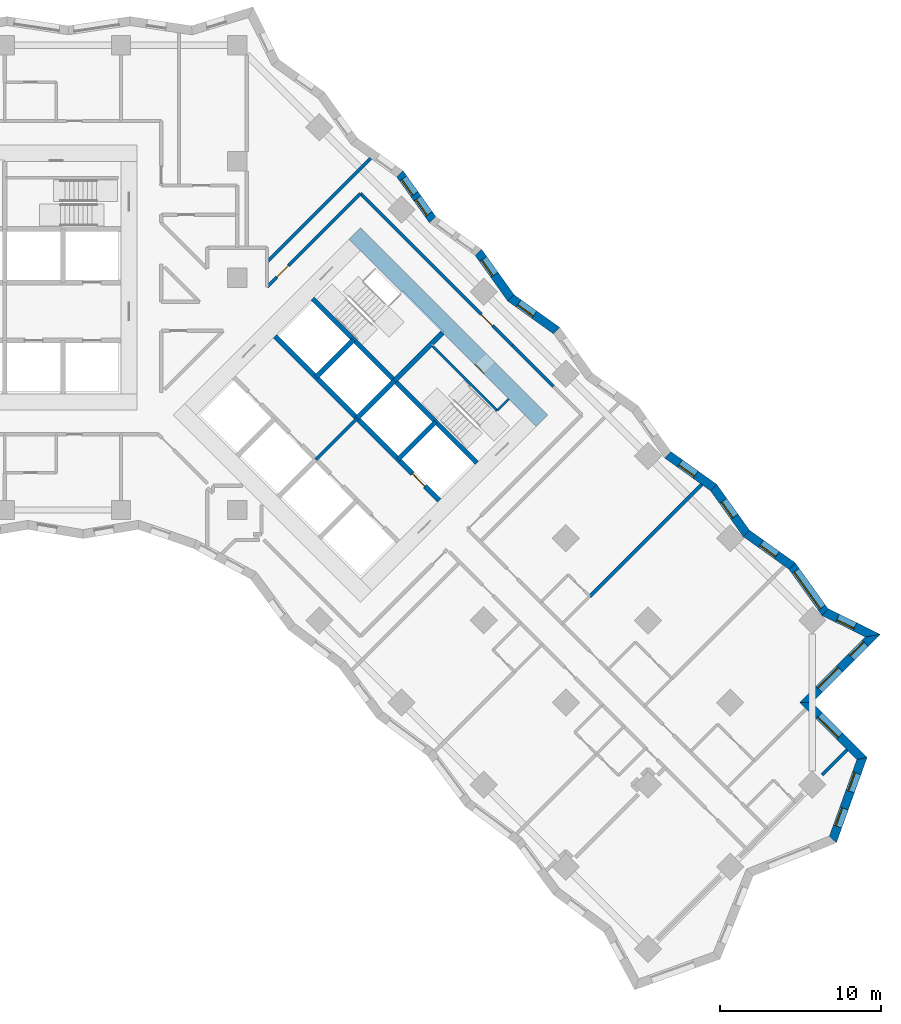
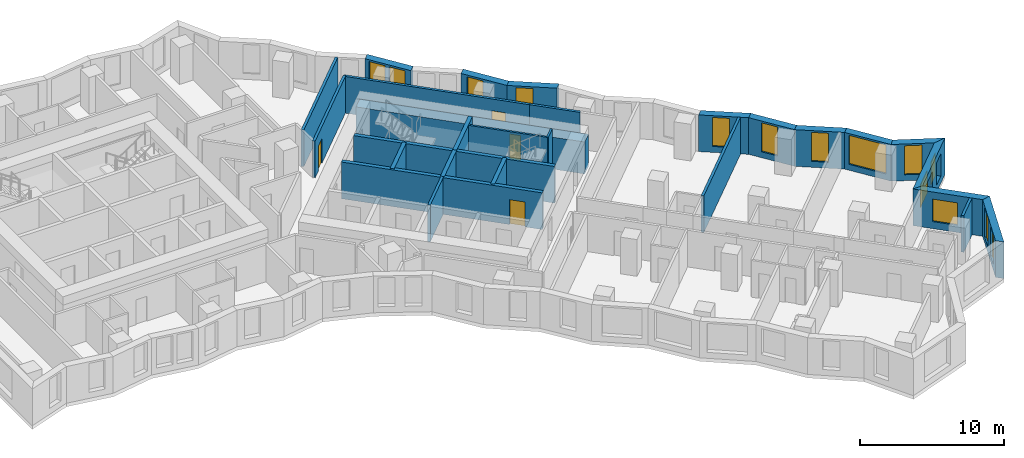
# One storey, part 9 of 12: 28 walls, 14 windows, 4 doors, 18 openings.
"""IFC4 building model written with IfcOpenShell, lengths in metres."""

from ifc_helpers import new_model, si_unit, direction, frame, frame_2d, origin, place, context, subcontext, project, spatial, polyline, rectangle, outline, extrude, material, layer, layer_set, type_object, element, fill, save


model = new_model("IFC4")

# Units and contexts
model_context = context("Model", 3, precision=1e-05, world=origin(), true_north=direction((0.0, 1.0)))
body_context = subcontext(model_context, "Body", "Model", "MODEL_VIEW")
ifc_project = project(units=[si_unit("LENGTHUNIT", "METRE"), si_unit("AREAUNIT", "SQUARE_METRE"), si_unit("VOLUMEUNIT", "CUBIC_METRE"), si_unit("PLANEANGLEUNIT", "RADIAN"), si_unit("MASSUNIT", "GRAM", prefix="KILO")], contexts=[model_context])

# Site, building, storey
site_placement = place(None, origin())
site = spatial("IfcSite", under=ifc_project, at=site_placement, CompositionType="ELEMENT")
building_placement = place(site_placement, origin())
building = spatial("IfcBuilding", under=site, at=building_placement, Name="Windrow Commons", CompositionType="ELEMENT")
storey_placement = place(building_placement, frame((0.0, 0.0, 57.6)))
storey = spatial("IfcBuildingStorey", under=building, at=storey_placement, Name="L15", CompositionType="ELEMENT", Elevation=57.6)

# Wall, openings, windows
ifc_material_1 = material(Name="Brick masonry, red clay brick", Category="masonry")
ifc_layer_1 = layer(ifc_material_1, 0.55)
ifc_layer_set_1 = layer_set([ifc_layer_1], Name="Brick facade wall 550")
wall_type_1 = type_object("IfcWallType", Name="Brick facade wall 550", PredefinedType="SOLIDWALL", material=ifc_layer_set_1)
wall_1_placement = place(storey_placement, frame((116.1112, 22.788, 0.0), z_axis=(0.0, 0.0, 1.0), x_axis=(0.3382272757, 0.9410644558, 0.0)))
wall_1 = element("IfcWall", 1, at=wall_1_placement, inside=storey, type_object=wall_type_1, Name="Brick facade wall L15 4", PredefinedType="SOLIDWALL", context=body_context, shape_type="SweptSolid", body=[
    extrude(outline(polyline([(-0.1242, -0.275), (5.506, -0.275), (5.1572, 0.275), (0.1242, 0.275), (-0.1242, -0.275)])), origin(), (0.0, 0.0, 1.0), 3.1),
])
opening_1_placement = place(wall_1_placement, frame((0.8436, 0.0, 0.5)))
opening_1 = element("IfcOpeningElement", 2, at=opening_1_placement, cuts=wall_1, Name="Opening W7D", PredefinedType="OPENING", context=body_context, shape_type="SweptSolid", body=[
    extrude(rectangle(XDim=1.2, YDim=2.45, at=frame_2d((0.6, 1.225))), frame((0.0, 0.285, 0.0), z_axis=(0.0, -1.0, 0.0), x_axis=(1.0, 0.0, 0.0)), (0.0, 0.0, 1.0), 0.57),
])
opening_2_placement = place(wall_1_placement, frame((3.1601, 0.0, 0.5)))
opening_2 = element("IfcOpeningElement", 3, at=opening_2_placement, cuts=wall_1, Name="Opening W7D", PredefinedType="OPENING", context=body_context, shape_type="SweptSolid", body=[
    extrude(rectangle(XDim=1.2, YDim=2.45, at=frame_2d((0.6, 1.225))), frame((0.0, 0.285, 0.0), z_axis=(0.0, -1.0, 0.0), x_axis=(1.0, 0.0, 0.0)), (0.0, 0.0, 1.0), 0.57),
])
ifc_material_2 = material(Name="Clear float glass in anodised aluminium frame", Category="aluminium")
window_type_1 = type_object("IfcWindowType", Name="Window W7 notch 1200x2450", PartitioningType="SINGLE_PANEL", PredefinedType="WINDOW", material=ifc_material_2)
window_1_placement = place(opening_1_placement, origin())
window_1 = element("IfcWindow", 4, at=window_1_placement, inside=storey, type_object=window_type_1, Name="Window L15 4.1", OverallHeight=2.45, OverallWidth=1.2, PartitioningType="SINGLE_PANEL", PredefinedType="WINDOW", context=body_context, shape_type="SweptSolid", body=[
    extrude(rectangle(XDim=1.2, YDim=2.45, at=frame_2d((0.6, 1.225))), frame((0.0, 0.155, 0.0), z_axis=(0.0, -1.0, 0.0), x_axis=(1.0, 0.0, 0.0)), (0.0, 0.0, 1.0), 0.06),
])
fill(opening_1, window_1)
window_2_placement = place(opening_2_placement, origin())
window_2 = element("IfcWindow", 5, at=window_2_placement, inside=storey, type_object=window_type_1, Name="Window L15 4.2", OverallHeight=2.45, OverallWidth=1.2, PartitioningType="SINGLE_PANEL", PredefinedType="WINDOW", context=body_context, shape_type="SweptSolid", body=[
    extrude(rectangle(XDim=1.2, YDim=2.45, at=frame_2d((0.6, 1.225))), frame((0.0, 0.155, 0.0), z_axis=(0.0, -1.0, 0.0), x_axis=(1.0, 0.0, 0.0)), (0.0, 0.0, 1.0), 0.06),
])
fill(opening_2, window_2)

# Wall, opening, window
wall_2_placement = place(storey_placement, frame((117.9145, 27.8054, 0.0), z_axis=(0.0, 0.0, 1.0), x_axis=(-0.7071067812, 0.7071067812, 0.0)))
wall_2 = element("IfcWall", 6, at=wall_2_placement, inside=storey, type_object=wall_type_1, Name="Brick facade wall L15 5", PredefinedType="SOLIDWALL", context=body_context, shape_type="SweptSolid", body=[
    extrude(outline(polyline([(-0.1744, -0.275), (4.6256, -0.275), (5.1756, 0.275), (0.1744, 0.275), (-0.1744, -0.275)])), origin(), (0.0, 0.0, 1.0), 3.1),
])
opening_3_placement = place(wall_2_placement, frame((1.9631, 0.0, 0.6)))
opening_3 = element("IfcOpeningElement", 7, at=opening_3_placement, cuts=wall_2, Name="Opening W1L", PredefinedType="OPENING", context=body_context, shape_type="SweptSolid", body=[
    extrude(rectangle(XDim=1.8, YDim=1.9, at=frame_2d((0.9, 0.95))), frame((0.0, 0.285, 0.0), z_axis=(0.0, -1.0, 0.0), x_axis=(1.0, 0.0, 0.0)), (0.0, 0.0, 1.0), 0.57),
])
ifc_material_3 = material(Name="Clear float glass in anodised aluminium frame", Category="aluminium")
window_type_2 = type_object("IfcWindowType", Name="Window W1L bedroom 1800x1900", PartitioningType="SINGLE_PANEL", PredefinedType="WINDOW", material=ifc_material_3)
window_3_placement = place(opening_3_placement, origin())
window_3 = element("IfcWindow", 8, at=window_3_placement, inside=storey, type_object=window_type_2, Name="Window L15 5.1", OverallHeight=1.9, OverallWidth=1.8, PartitioningType="SINGLE_PANEL", PredefinedType="WINDOW", context=body_context, shape_type="SweptSolid", body=[
    extrude(rectangle(XDim=1.8, YDim=1.9, at=frame_2d((0.9, 0.95))), frame((0.0, 0.155, 0.0), z_axis=(0.0, -1.0, 0.0), x_axis=(1.0, 0.0, 0.0)), (0.0, 0.0, 1.0), 0.06),
])
fill(opening_3, window_3)

# Wall, openings, windows
wall_3_placement = place(storey_placement, frame((114.4493, 31.2706, 0.0), z_axis=(0.0, 0.0, 1.0), x_axis=(0.7070982526, 0.7071153096, 0.0)))
wall_3 = element("IfcWall", 9, at=wall_3_placement, inside=storey, type_object=wall_type_1, Name="Brick facade wall L15 6", PredefinedType="SOLIDWALL", context=body_context, shape_type="SweptSolid", body=[
    extrude(outline(polyline([(0.275, -0.275), (6.247, -0.275), (5.4784, 0.275), (-0.275, 0.275), (0.275, -0.275)])), origin(), (0.0, 0.0, 1.0), 3.1),
])
opening_4_placement = place(wall_3_placement, frame((1.1375, 0.0, 0.6)))
opening_4 = element("IfcOpeningElement", 10, at=opening_4_placement, cuts=wall_3, Name="Opening W1L", PredefinedType="OPENING", context=body_context, shape_type="SweptSolid", body=[
    extrude(rectangle(XDim=1.8, YDim=1.9, at=frame_2d((0.9, 0.95))), frame((0.0, 0.285, 0.0), z_axis=(0.0, -1.0, 0.0), x_axis=(1.0, 0.0, 0.0)), (0.0, 0.0, 1.0), 0.57),
])
opening_5_placement = place(wall_3_placement, frame((3.9767, 0.0, 0.6)))
opening_5 = element("IfcOpeningElement", 11, at=opening_5_placement, cuts=wall_3, Name="Opening W7G", PredefinedType="OPENING", context=body_context, shape_type="SweptSolid", body=[
    extrude(rectangle(XDim=1.2, YDim=1.9, at=frame_2d((0.6, 0.95))), frame((0.0, 0.285, 0.0), z_axis=(0.0, -1.0, 0.0), x_axis=(1.0, 0.0, 0.0)), (0.0, 0.0, 1.0), 0.57),
])
window_4_placement = place(opening_4_placement, origin())
window_4 = element("IfcWindow", 12, at=window_4_placement, inside=storey, type_object=window_type_2, Name="Window L15 6.1", OverallHeight=1.9, OverallWidth=1.8, PartitioningType="SINGLE_PANEL", PredefinedType="WINDOW", context=body_context, shape_type="SweptSolid", body=[
    extrude(rectangle(XDim=1.8, YDim=1.9, at=frame_2d((0.9, 0.95))), frame((0.0, 0.155, 0.0), z_axis=(0.0, -1.0, 0.0), x_axis=(1.0, 0.0, 0.0)), (0.0, 0.0, 1.0), 0.06),
])
fill(opening_4, window_4)
ifc_material_4 = material(Name="Clear float glass in anodised aluminium frame", Category="aluminium")
window_type_3 = type_object("IfcWindowType", Name="Window W7 notch 1200x1900", PartitioningType="SINGLE_PANEL", PredefinedType="WINDOW", material=ifc_material_4)
window_5_placement = place(opening_5_placement, origin())
window_5 = element("IfcWindow", 13, at=window_5_placement, inside=storey, type_object=window_type_3, Name="Window L15 6.2", OverallHeight=1.9, OverallWidth=1.2, PartitioningType="SINGLE_PANEL", PredefinedType="WINDOW", context=body_context, shape_type="SweptSolid", body=[
    extrude(rectangle(XDim=1.2, YDim=1.9, at=frame_2d((0.6, 0.95))), frame((0.0, 0.155, 0.0), z_axis=(0.0, -1.0, 0.0), x_axis=(1.0, 0.0, 0.0)), (0.0, 0.0, 1.0), 0.06),
])
fill(opening_5, window_5)

# Wall, opening, window
wall_4_placement = place(storey_placement, frame((118.5948, 35.4162, 0.0), z_axis=(0.0, 0.0, 1.0), x_axis=(-0.8975000889, 0.4410142747, 0.0)))
wall_4 = element("IfcWall", 14, at=wall_4_placement, inside=storey, type_object=wall_type_1, Name="Brick facade wall L15 7", PredefinedType="SOLIDWALL", context=body_context, shape_type="SweptSolid", body=[
    extrude(outline(polyline([(-0.3843, -0.275), (3.2464, -0.275), (3.385, 0.275), (0.3843, 0.275), (-0.3843, -0.275)])), origin(), (0.0, 0.0, 1.0), 3.1),
])
opening_6_placement = place(wall_4_placement, frame((1.25, 0.0, 0.5)))
opening_6 = element("IfcOpeningElement", 15, at=opening_6_placement, cuts=wall_4, Name="Opening W7D", PredefinedType="OPENING", context=body_context, shape_type="SweptSolid", body=[
    extrude(rectangle(XDim=1.2, YDim=2.45, at=frame_2d((0.6, 1.225))), frame((0.0, 0.285, 0.0), z_axis=(0.0, -1.0, 0.0), x_axis=(1.0, 0.0, 0.0)), (0.0, 0.0, 1.0), 0.57),
])
window_6_placement = place(opening_6_placement, origin())
window_6 = element("IfcWindow", 16, at=window_6_placement, inside=storey, type_object=window_type_1, Name="Window L15 7.1", OverallHeight=2.45, OverallWidth=1.2, PartitioningType="SINGLE_PANEL", PredefinedType="WINDOW", context=body_context, shape_type="SweptSolid", body=[
    extrude(rectangle(XDim=1.2, YDim=2.45, at=frame_2d((0.6, 1.225))), frame((0.0, 0.155, 0.0), z_axis=(0.0, -1.0, 0.0), x_axis=(1.0, 0.0, 0.0)), (0.0, 0.0, 1.0), 0.06),
])
fill(opening_6, window_6)

wall_5_placement = place(storey_placement, frame((115.6189, 36.8785, 0.0), z_axis=(0.0, 0.0, 1.0), x_axis=(-0.5814054054, 0.8136140083, 0.0)))
wall_5 = element("IfcWall", 17, at=wall_5_placement, inside=storey, type_object=wall_type_1, Name="Brick facade wall L15 8", PredefinedType="SOLIDWALL", context=body_context, shape_type="SweptSolid", body=[
    extrude(outline(polyline([(0.0693, -0.275), (3.553, -0.275), (3.4614, 0.275), (-0.0693, 0.275), (0.0693, -0.275)])), origin(), (0.0, 0.0, 1.0), 3.1),
])
opening_7_placement = place(wall_5_placement, frame((0.3307, 0.0, 0.5)))
opening_7 = element("IfcOpeningElement", 18, at=opening_7_placement, cuts=wall_5, Name="Opening W1T", PredefinedType="OPENING", context=body_context, shape_type="SweptSolid", body=[
    extrude(rectangle(XDim=2.8, YDim=2.45, at=frame_2d((1.4, 1.225))), frame((0.0, 0.285, 0.0), z_axis=(0.0, -1.0, 0.0), x_axis=(1.0, 0.0, 0.0)), (0.0, 0.0, 1.0), 0.57),
])
ifc_material_5 = material(Name="Clear float glass in anodised aluminium frame", Category="aluminium")
window_type_4 = type_object("IfcWindowType", Name="Window W1T bedroom 2800x2450", PartitioningType="SINGLE_PANEL", PredefinedType="WINDOW", material=ifc_material_5)
window_7_placement = place(opening_7_placement, origin())
window_7 = element("IfcWindow", 19, at=window_7_placement, inside=storey, type_object=window_type_4, Name="Window L15 8.1", OverallHeight=2.45, OverallWidth=2.8, PartitioningType="SINGLE_PANEL", PredefinedType="WINDOW", context=body_context, shape_type="SweptSolid", body=[
    extrude(rectangle(XDim=2.8, YDim=2.45, at=frame_2d((1.4, 1.225))), frame((0.0, 0.155, 0.0), z_axis=(0.0, -1.0, 0.0), x_axis=(1.0, 0.0, 0.0)), (0.0, 0.0, 1.0), 0.06),
])
fill(opening_7, window_7)

wall_6_placement = place(storey_placement, frame((113.5798, 39.732, 0.0), z_axis=(0.0, 0.0, 1.0), x_axis=(-0.8136209625, 0.5813956737, 0.0)))
wall_6 = element("IfcWall", 20, at=wall_6_placement, inside=storey, type_object=wall_type_1, Name="Brick facade wall L15 9", PredefinedType="SOLIDWALL", context=body_context, shape_type="SweptSolid", body=[
    extrude(outline(polyline([(-0.0458, -0.275), (3.4379, -0.275), (3.5295, 0.275), (0.0458, 0.275), (-0.0458, -0.275)])), origin(), (0.0, 0.0, 1.0), 3.1),
])
opening_8_placement = place(wall_6_placement, frame((1.1647, 0.0, 0.5)))
opening_8 = element("IfcOpeningElement", 21, at=opening_8_placement, cuts=wall_6, Name="Opening W7D", PredefinedType="OPENING", context=body_context, shape_type="SweptSolid", body=[
    extrude(rectangle(XDim=1.2, YDim=2.45, at=frame_2d((0.6, 1.225))), frame((0.0, 0.285, 0.0), z_axis=(0.0, -1.0, 0.0), x_axis=(1.0, 0.0, 0.0)), (0.0, 0.0, 1.0), 0.57),
])
window_8_placement = place(opening_8_placement, origin())
window_8 = element("IfcWindow", 22, at=window_8_placement, inside=storey, type_object=window_type_1, Name="Window L15 9.1", OverallHeight=2.45, OverallWidth=1.2, PartitioningType="SINGLE_PANEL", PredefinedType="WINDOW", context=body_context, shape_type="SweptSolid", body=[
    extrude(rectangle(XDim=1.2, YDim=2.45, at=frame_2d((0.6, 1.225))), frame((0.0, 0.155, 0.0), z_axis=(0.0, -1.0, 0.0), x_axis=(1.0, 0.0, 0.0)), (0.0, 0.0, 1.0), 0.06),
])
fill(opening_8, window_8)

wall_7_placement = place(storey_placement, frame((110.7454, 41.7574, 0.0), z_axis=(0.0, 0.0, 1.0), x_axis=(-0.5813956737, 0.8136209625, 0.0)))
wall_7 = element("IfcWall", 23, at=wall_7_placement, inside=storey, type_object=wall_type_1, Name="Brick facade wall L15 10", PredefinedType="SOLIDWALL", context=body_context, shape_type="SweptSolid", body=[
    extrude(outline(polyline([(0.0458, -0.275), (3.5295, -0.275), (3.4379, 0.275), (-0.0458, 0.275), (0.0458, -0.275)])), origin(), (0.0, 0.0, 1.0), 3.1),
])
opening_9_placement = place(wall_7_placement, frame((1.2677, 0.0, 0.5)))
opening_9 = element("IfcOpeningElement", 24, at=opening_9_placement, cuts=wall_7, Name="Opening W7D", PredefinedType="OPENING", context=body_context, shape_type="SweptSolid", body=[
    extrude(rectangle(XDim=1.2, YDim=2.45, at=frame_2d((0.6, 1.225))), frame((0.0, 0.285, 0.0), z_axis=(0.0, -1.0, 0.0), x_axis=(1.0, 0.0, 0.0)), (0.0, 0.0, 1.0), 0.57),
])
window_9_placement = place(opening_9_placement, origin())
window_9 = element("IfcWindow", 25, at=window_9_placement, inside=storey, type_object=window_type_1, Name="Window L15 10.1", OverallHeight=2.45, OverallWidth=1.2, PartitioningType="SINGLE_PANEL", PredefinedType="WINDOW", context=body_context, shape_type="SweptSolid", body=[
    extrude(rectangle(XDim=1.2, YDim=2.45, at=frame_2d((0.6, 1.225))), frame((0.0, 0.155, 0.0), z_axis=(0.0, -1.0, 0.0), x_axis=(1.0, 0.0, 0.0)), (0.0, 0.0, 1.0), 0.06),
])
fill(opening_9, window_9)

wall_8_placement = place(storey_placement, frame((108.72, 44.5918, 0.0), z_axis=(0.0, 0.0, 1.0), x_axis=(-0.8136209625, 0.5813956737, 0.0)))
wall_8 = element("IfcWall", 26, at=wall_8_placement, inside=storey, type_object=wall_type_1, Name="Brick facade wall L15 11", PredefinedType="SOLIDWALL", context=body_context, shape_type="SweptSolid", body=[
    extrude(outline(polyline([(-0.0458, -0.275), (3.4379, -0.275), (3.5295, 0.275), (0.0458, 0.275), (-0.0458, -0.275)])), origin(), (0.0, 0.0, 1.0), 3.1),
])
opening_10_placement = place(wall_8_placement, frame((1.3735, 0.0, 0.5)))
opening_10 = element("IfcOpeningElement", 27, at=opening_10_placement, cuts=wall_8, Name="Opening W7D", PredefinedType="OPENING", context=body_context, shape_type="SweptSolid", body=[
    extrude(rectangle(XDim=1.2, YDim=2.45, at=frame_2d((0.6, 1.225))), frame((0.0, 0.285, 0.0), z_axis=(0.0, -1.0, 0.0), x_axis=(1.0, 0.0, 0.0)), (0.0, 0.0, 1.0), 0.57),
])
window_10_placement = place(opening_10_placement, origin())
window_10 = element("IfcWindow", 28, at=window_10_placement, inside=storey, type_object=window_type_1, Name="Window L15 11.1", OverallHeight=2.45, OverallWidth=1.2, PartitioningType="SINGLE_PANEL", PredefinedType="WINDOW", context=body_context, shape_type="SweptSolid", body=[
    extrude(rectangle(XDim=1.2, YDim=2.45, at=frame_2d((0.6, 1.225))), frame((0.0, 0.155, 0.0), z_axis=(0.0, -1.0, 0.0), x_axis=(1.0, 0.0, 0.0)), (0.0, 0.0, 1.0), 0.06),
])
fill(opening_10, window_10)

wall_9_placement = place(storey_placement, frame((99.0004, 54.3114, 0.0), z_axis=(0.0, 0.0, 1.0), x_axis=(-0.8136209625, 0.5813956737, 0.0)))
wall_9 = element("IfcWall", 29, at=wall_9_placement, inside=storey, type_object=wall_type_1, Name="Brick facade wall L15 15", PredefinedType="SOLIDWALL", context=body_context, shape_type="SweptSolid", body=[
    extrude(outline(polyline([(-0.0458, -0.275), (3.4379, -0.275), (3.5295, 0.275), (0.0458, 0.275), (-0.0458, -0.275)])), origin(), (0.0, 0.0, 1.0), 3.1),
])
opening_11_placement = place(wall_9_placement, frame((1.7052, 0.0, 0.5)))
opening_11 = element("IfcOpeningElement", 30, at=opening_11_placement, cuts=wall_9, Name="Opening W7D", PredefinedType="OPENING", context=body_context, shape_type="SweptSolid", body=[
    extrude(rectangle(XDim=1.2, YDim=2.45, at=frame_2d((0.6, 1.225))), frame((0.0, 0.285, 0.0), z_axis=(0.0, -1.0, 0.0), x_axis=(1.0, 0.0, 0.0)), (0.0, 0.0, 1.0), 0.57),
])
window_11_placement = place(opening_11_placement, origin())
window_11 = element("IfcWindow", 31, at=window_11_placement, inside=storey, type_object=window_type_1, Name="Window L15 15.1", OverallHeight=2.45, OverallWidth=1.2, PartitioningType="SINGLE_PANEL", PredefinedType="WINDOW", context=body_context, shape_type="SweptSolid", body=[
    extrude(rectangle(XDim=1.2, YDim=2.45, at=frame_2d((0.6, 1.225))), frame((0.0, 0.155, 0.0), z_axis=(0.0, -1.0, 0.0), x_axis=(1.0, 0.0, 0.0)), (0.0, 0.0, 1.0), 0.06),
])
fill(opening_11, window_11)

wall_10_placement = place(storey_placement, frame((96.166, 56.3368, 0.0), z_axis=(0.0, 0.0, 1.0), x_axis=(-0.5813956737, 0.8136209625, 0.0)))
wall_10 = element("IfcWall", 32, at=wall_10_placement, inside=storey, type_object=wall_type_1, Name="Brick facade wall L15 16", PredefinedType="SOLIDWALL", context=body_context, shape_type="SweptSolid", body=[
    extrude(outline(polyline([(0.0458, -0.275), (3.5295, -0.275), (3.4379, 0.275), (-0.0458, 0.275), (0.0458, -0.275)])), origin(), (0.0, 0.0, 1.0), 3.1),
])
opening_12_placement = place(wall_10_placement, frame((1.7653, 0.0, 0.5)))
opening_12 = element("IfcOpeningElement", 33, at=opening_12_placement, cuts=wall_10, Name="Opening W7D", PredefinedType="OPENING", context=body_context, shape_type="SweptSolid", body=[
    extrude(rectangle(XDim=1.2, YDim=2.45, at=frame_2d((0.6, 1.225))), frame((0.0, 0.285, 0.0), z_axis=(0.0, -1.0, 0.0), x_axis=(1.0, 0.0, 0.0)), (0.0, 0.0, 1.0), 0.57),
])
window_12_placement = place(opening_12_placement, origin())
window_12 = element("IfcWindow", 34, at=window_12_placement, inside=storey, type_object=window_type_1, Name="Window L15 16.1", OverallHeight=2.45, OverallWidth=1.2, PartitioningType="SINGLE_PANEL", PredefinedType="WINDOW", context=body_context, shape_type="SweptSolid", body=[
    extrude(rectangle(XDim=1.2, YDim=2.45, at=frame_2d((0.6, 1.225))), frame((0.0, 0.155, 0.0), z_axis=(0.0, -1.0, 0.0), x_axis=(1.0, 0.0, 0.0)), (0.0, 0.0, 1.0), 0.06),
])
fill(opening_12, window_12)

# Wall, openings, windows
wall_11_placement = place(storey_placement, frame((91.3062, 61.1966, 0.0), z_axis=(0.0, 0.0, 1.0), x_axis=(-0.5813956737, 0.8136209625, 0.0)))
wall_11 = element("IfcWall", 35, at=wall_11_placement, inside=storey, type_object=wall_type_1, Name="Brick facade wall L15 18", PredefinedType="SOLIDWALL", context=body_context, shape_type="SweptSolid", body=[
    extrude(outline(polyline([(0.0458, -0.275), (3.5295, -0.275), (3.4379, 0.275), (-0.0458, 0.275), (0.0458, -0.275)])), origin(), (0.0, 0.0, 1.0), 3.1),
])
opening_13_placement = place(wall_11_placement, frame((0.4121, 0.0, 0.5)))
opening_13 = element("IfcOpeningElement", 36, at=opening_13_placement, cuts=wall_11, Name="Opening W7D", PredefinedType="OPENING", context=body_context, shape_type="SweptSolid", body=[
    extrude(rectangle(XDim=1.2, YDim=2.45, at=frame_2d((0.6, 1.225))), frame((0.0, 0.285, 0.0), z_axis=(0.0, -1.0, 0.0), x_axis=(1.0, 0.0, 0.0)), (0.0, 0.0, 1.0), 0.57),
])
opening_14_placement = place(wall_11_placement, frame((1.9311, 0.0, 0.5)))
opening_14 = element("IfcOpeningElement", 37, at=opening_14_placement, cuts=wall_11, Name="Opening W7D", PredefinedType="OPENING", context=body_context, shape_type="SweptSolid", body=[
    extrude(rectangle(XDim=1.2, YDim=2.45, at=frame_2d((0.6, 1.225))), frame((0.0, 0.285, 0.0), z_axis=(0.0, -1.0, 0.0), x_axis=(1.0, 0.0, 0.0)), (0.0, 0.0, 1.0), 0.57),
])
window_13_placement = place(opening_13_placement, origin())
window_13 = element("IfcWindow", 38, at=window_13_placement, inside=storey, type_object=window_type_1, Name="Window L15 18.1", OverallHeight=2.45, OverallWidth=1.2, PartitioningType="SINGLE_PANEL", PredefinedType="WINDOW", context=body_context, shape_type="SweptSolid", body=[
    extrude(rectangle(XDim=1.2, YDim=2.45, at=frame_2d((0.6, 1.225))), frame((0.0, 0.155, 0.0), z_axis=(0.0, -1.0, 0.0), x_axis=(1.0, 0.0, 0.0)), (0.0, 0.0, 1.0), 0.06),
])
fill(opening_13, window_13)
window_14_placement = place(opening_14_placement, origin())
window_14 = element("IfcWindow", 39, at=window_14_placement, inside=storey, type_object=window_type_1, Name="Window L15 18.2", OverallHeight=2.45, OverallWidth=1.2, PartitioningType="SINGLE_PANEL", PredefinedType="WINDOW", context=body_context, shape_type="SweptSolid", body=[
    extrude(rectangle(XDim=1.2, YDim=2.45, at=frame_2d((0.6, 1.225))), frame((0.0, 0.155, 0.0), z_axis=(0.0, -1.0, 0.0), x_axis=(1.0, 0.0, 0.0)), (0.0, 0.0, 1.0), 0.06),
])
fill(opening_14, window_14)

# Wall
ifc_material_6 = material(Name="Blockwork partition", Category="masonry")
ifc_layer_2 = layer(ifc_material_6, 0.2)
ifc_layer_set_2 = layer_set([ifc_layer_2], Name="Fire lobby partition 200")
wall_type_2 = type_object("IfcWallType", Name="Fire lobby partition 200", PredefinedType="PARTITIONING", material=ifc_layer_set_2)
wall_12_placement = place(storey_placement, frame((84.079, 46.332, 0.0), z_axis=(0.0, 0.0, 1.0), x_axis=(0.7071067812, 0.7071067812, 0.0)))
element("IfcWall", 40, at=wall_12_placement, inside=storey, type_object=wall_type_2, Name="W-core-lobby-B-L15", PredefinedType="PARTITIONING", context=body_context, shape_type="SweptSolid", body=[
    extrude(rectangle(XDim=3.6, YDim=0.2, at=frame_2d((1.8, 0.0))), origin(), (0.0, 0.0, 1.0), 3.1),
])

# Wall, opening, door
ifc_material_7 = material(Name="Blockwork partition", Category="masonry")
ifc_layer_3 = layer(ifc_material_7, 0.2)
ifc_layer_set_3 = layer_set([ifc_layer_3], Name="IW-CORRIDOR-200")
wall_type_3 = type_object("IfcWallType", Name="IW-CORRIDOR-200", PredefinedType="PARTITIONING", material=ifc_layer_set_3)
wall_13_placement = place(storey_placement, frame((86.833, 62.805, 0.0), z_axis=(0.0, 0.0, 1.0), x_axis=(0.7072045138, -0.7070090351, 0.0)))
wall_13 = element("IfcWall", 41, at=wall_13_placement, inside=storey, type_object=wall_type_3, Name="W-L15-W004", PredefinedType="PARTITIONING", context=body_context, shape_type="SweptSolid", body=[
    extrude(rectangle(XDim=13.3007, YDim=0.2, at=frame_2d((6.6504, 0.0))), origin(), (0.0, 0.0, 1.0), 3.1),
])
opening_15_placement = place(wall_13_placement, frame((10.5864, 0.0, 0.0)))
opening_15 = element("IfcOpeningElement", 42, at=opening_15_placement, cuts=wall_13, Name="Opening D310F", PredefinedType="OPENING", context=body_context, shape_type="SweptSolid", body=[
    extrude(rectangle(XDim=1.0, YDim=2.1, at=frame_2d((0.5, 1.05))), frame((0.0, 0.11, 0.0), z_axis=(0.0, -1.0, 0.0), x_axis=(1.0, 0.0, 0.0)), (0.0, 0.0, 1.0), 0.22),
])
ifc_material_8 = material(Name="Timber door leaf", Category="wood")
door_type_1 = type_object("IfcDoorType", Name="DT-AMENITY-1000", OperationType="SINGLE_SWING_LEFT", PredefinedType="DOOR", material=ifc_material_8)
door_1_placement = place(opening_15_placement, origin())
door_1 = element("IfcDoor", 43, at=door_1_placement, inside=storey, type_object=door_type_1, Name="D-L15-D037", OperationType="SINGLE_SWING_LEFT", OverallHeight=2.1, OverallWidth=1.0, PredefinedType="DOOR", context=body_context, shape_type="SweptSolid", body=[
    extrude(rectangle(XDim=1.0, YDim=2.1, at=frame_2d((0.5, 1.05))), frame((0.0, 0.025, 0.0), z_axis=(0.0, -1.0, 0.0), x_axis=(1.0, 0.0, 0.0)), (0.0, 0.0, 1.0), 0.05),
])
fill(opening_15, door_1)

wall_14_placement = place(storey_placement, frame((81.053, 57.021, 0.0), z_axis=(0.0, 0.0, 1.0), x_axis=(0.7069845395, 0.7072290017, 0.0)))
wall_14 = element("IfcWall", 44, at=wall_14_placement, inside=storey, type_object=wall_type_3, Name="W-L15-W017", PredefinedType="PARTITIONING", context=body_context, shape_type="SweptSolid", body=[
    extrude(rectangle(XDim=8.1812, YDim=0.2, at=frame_2d((4.0906, 0.0))), origin(), (0.0, 0.0, 1.0), 3.1),
])
opening_16_placement = place(wall_14_placement, frame((0.8597, 0.0, 0.0)))
opening_16 = element("IfcOpeningElement", 45, at=opening_16_placement, cuts=wall_14, Name="Opening D310F", PredefinedType="OPENING", context=body_context, shape_type="SweptSolid", body=[
    extrude(rectangle(XDim=1.0, YDim=2.1, at=frame_2d((0.5, 1.05))), frame((0.0, 0.11, 0.0), z_axis=(0.0, -1.0, 0.0), x_axis=(1.0, 0.0, 0.0)), (0.0, 0.0, 1.0), 0.22),
])
door_2_placement = place(opening_16_placement, origin())
door_2 = element("IfcDoor", 46, at=door_2_placement, inside=storey, type_object=door_type_1, Name="D-L15-D036", OperationType="SINGLE_SWING_RIGHT", OverallHeight=2.1, OverallWidth=1.0, PredefinedType="DOOR", context=body_context, shape_type="SweptSolid", body=[
    extrude(rectangle(XDim=1.0, YDim=2.1, at=frame_2d((0.5, 1.05))), frame((0.0, 0.025, 0.0), z_axis=(0.0, -1.0, 0.0), x_axis=(1.0, 0.0, 0.0)), (0.0, 0.0, 1.0), 0.05),
])
fill(opening_16, door_2)

# Walls
wall_15_placement = place(storey_placement, frame((96.2437, 53.4057, 0.0), z_axis=(0.0, 0.0, 1.0), x_axis=(0.7068288851, -0.7073845681, 0.0)))
element("IfcWall", 47, at=wall_15_placement, inside=storey, type_object=wall_type_3, Name="W-L15-W054", PredefinedType="PARTITIONING", context=body_context, shape_type="SweptSolid", body=[
    extrude(rectangle(XDim=3.5992, YDim=0.2, at=frame_2d((1.7996, 0.0))), origin(), (0.0, 0.0, 1.0), 3.1),
])
ifc_material_9 = material(Name="Blockwork partition", Category="masonry")
ifc_layer_4 = layer(ifc_material_9, 0.2)
ifc_layer_set_4 = layer_set([ifc_layer_4], Name="IW-PARTY-200")
wall_type_4 = type_object("IfcWallType", Name="IW-PARTY-200", PredefinedType="PARTITIONING", material=ifc_layer_set_4)
wall_16_placement = place(storey_placement, frame((101.0486, 37.8474, 0.0), z_axis=(0.0, 0.0, 1.0), x_axis=(0.7071067812, 0.7071067812, 0.0)))
element("IfcWall", 48, at=wall_16_placement, inside=storey, type_object=wall_type_4, Name="W-L15-W013", PredefinedType="PARTITIONING", context=body_context, shape_type="SweptSolid", body=[
    extrude(rectangle(XDim=9.8056, YDim=0.2, at=frame_2d((4.9028, 0.0))), origin(), (0.0, 0.0, 1.0), 3.1),
])
wall_17_placement = place(storey_placement, frame((81.0489, 58.5771, 0.0), z_axis=(0.0, 0.0, 1.0), x_axis=(0.7071122929, 0.7071012694, 0.0)))
element("IfcWall", 49, at=wall_17_placement, inside=storey, type_object=wall_type_4, Name="W-L15-W016", PredefinedType="PARTITIONING", context=body_context, shape_type="SweptSolid", body=[
    extrude(rectangle(XDim=9.0715, YDim=0.2, at=frame_2d((4.5358, 0.0))), origin(), (0.0, 0.0, 1.0), 3.1),
])
wall_18_placement = place(storey_placement, frame((115.4375, 26.7805, 0.0), z_axis=(0.0, 0.0, 1.0), x_axis=(0.7071067812, 0.7071067812, 0.0)))
element("IfcWall", 50, at=wall_18_placement, inside=storey, type_object=wall_type_4, Name="W-L15-W112", PredefinedType="PARTITIONING", context=body_context, shape_type="SweptSolid", body=[
    extrude(rectangle(XDim=2.2012, YDim=0.2, at=frame_2d((1.1006, 0.0))), origin(), (0.0, 0.0, 1.0), 3.1),
])

# Wall, opening, door
ifc_material_10 = material(Name="Concrete C60/75", Category="concrete")
ifc_layer_5 = layer(ifc_material_10, 1.0)
ifc_layer_set_5 = layer_set([ifc_layer_5], Name="RC CORE WALL 1000 C60/75")
wall_type_5 = type_object("IfcWallType", Name="RC CORE WALL 1000 C60/75", PredefinedType="SHEAR", material=ifc_layer_set_5)
wall_19_placement = place(storey_placement, frame((86.4832, 60.3327, -0.3), z_axis=(0.0, 0.0, 1.0), x_axis=(0.70710983, -0.7071037324, 0.0)))
wall_19 = element("IfcWall", 51, at=wall_19_placement, inside=storey, type_object=wall_type_5, Name="Core B wall outer-N", PredefinedType="SHEAR", context=body_context, shape_type="SweptSolid", body=[
    extrude(rectangle(XDim=16.4, YDim=1.0, at=frame_2d((8.2, 0.0))), origin(), (0.0, 0.0, 1.0), 2.7),
])
opening_17_placement = place(wall_19_placement, frame((11.0, 0.0, 0.3)))
opening_17 = element("IfcOpeningElement", 52, at=opening_17_placement, cuts=wall_19, Name="Opening D9", PredefinedType="OPENING", context=body_context, shape_type="SweptSolid", body=[
    extrude(rectangle(XDim=0.8, YDim=2.1, at=frame_2d((0.4, 1.05))), frame((0.0, 0.51, 0.0), z_axis=(0.0, -1.0, 0.0), x_axis=(1.0, 0.0, 0.0)), (0.0, 0.0, 1.0), 1.02),
])
ifc_material_11 = material(Name="Steel fire door leaf", Category="steel")
door_type_2 = type_object("IfcDoorType", Name="Riser access door 800", OperationType="SINGLE_SWING_LEFT", PredefinedType="DOOR", material=ifc_material_11)
door_3_placement = place(opening_17_placement, origin())
door_3 = element("IfcDoor", 53, at=door_3_placement, inside=storey, type_object=door_type_2, Name="Riser access door", OperationType="SINGLE_SWING_RIGHT", OverallHeight=2.1, OverallWidth=0.8, PredefinedType="DOOR", context=body_context, shape_type="SweptSolid", body=[
    extrude(rectangle(XDim=0.8, YDim=2.1, at=frame_2d((0.4, 1.05))), frame((0.0, -0.44, 0.0), z_axis=(0.0, -1.0, 0.0), x_axis=(1.0, 0.0, 0.0)), (0.0, 0.0, 1.0), 0.05),
])
fill(opening_17, door_3)

# Walls
ifc_material_12 = material(Name="Concrete C60/75", Category="concrete")
ifc_layer_6 = layer(ifc_material_12, 0.3)
ifc_layer_set_6 = layer_set([ifc_layer_6], Name="RC SHAFT WALL 300 C60/75")
wall_type_6 = type_object("IfcWallType", Name="RC SHAFT WALL 300 C60/75", PredefinedType="SOLIDWALL", material=ifc_layer_set_6)
wall_20_placement = place(storey_placement, frame((84.079, 51.4232, 0.0), z_axis=(0.0, 0.0, 1.0), x_axis=(0.7071219326, 0.7070916295, 0.0)))
element("IfcWall", 54, at=wall_20_placement, inside=storey, type_object=wall_type_6, Name="Core B wall shaft-N1", PredefinedType="SOLIDWALL", context=body_context, shape_type="SweptSolid", body=[
    extrude(rectangle(XDim=3.3, YDim=0.3, at=frame_2d((1.65, 0.0))), origin(), (0.0, 0.0, 1.0), 3.1),
])
for number, where, z_axis, x_axis, name in (
    (55, (86.6246, 48.8776, 0.0), (0.0, 0.0, 1.0), (0.7071067812, 0.7071067812, 0.0), "Core B wall shaft-N2"),
    (56, (89.1702, 46.332, 0.0), (0.0, 0.0, 1.0), (0.7071067812, 0.7071067812, 0.0), "Core B wall shaft-N3"),
):
    element("IfcWall", number, at=place(storey_placement, frame(where, z_axis=z_axis, x_axis=x_axis)), inside=storey, type_object=wall_type_6, Name=name, PredefinedType="SOLIDWALL", context=body_context, shape_type="SweptSolid", body=[
        extrude(rectangle(XDim=3.3001, YDim=0.3, at=frame_2d((1.6501, 0.0))), origin(), (0.0, 0.0, 1.0), 3.1),
    ])

# Wall, opening, door
wall_21_placement = place(storey_placement, frame((81.5335, 53.9688, 0.0), z_axis=(0.0, 0.0, 1.0), x_axis=(0.707103309, -0.7071102534, 0.0)))
wall_21 = element("IfcWall", 57, at=wall_21_placement, inside=storey, type_object=wall_type_6, Name="Core B wall lobby-N", PredefinedType="SOLIDWALL", context=body_context, shape_type="SweptSolid", body=[
    extrude(rectangle(XDim=14.4, YDim=0.3, at=frame_2d((7.2, 0.0))), origin(), (0.0, 0.0, 1.0), 3.1),
])
opening_18_placement = place(wall_21_placement, frame((12.05, 0.0, 0.0)))
opening_18 = element("IfcOpeningElement", 58, at=opening_18_placement, cuts=wall_21, Name="Opening LD", PredefinedType="OPENING", context=body_context, shape_type="SweptSolid", body=[
    extrude(rectangle(XDim=1.1, YDim=2.1, at=frame_2d((0.55, 1.05))), frame((0.0, 0.16, 0.0), z_axis=(0.0, -1.0, 0.0), x_axis=(1.0, 0.0, 0.0)), (0.0, 0.0, 1.0), 0.32),
])
ifc_material_13 = material(Name="Stainless steel door leaf", Category="steel")
door_type_3 = type_object("IfcDoorType", Name="Lift landing door 1100", OperationType="SLIDING_TO_LEFT", PredefinedType="DOOR", material=ifc_material_13)
door_4_placement = place(opening_18_placement, origin())
door_4 = element("IfcDoor", 59, at=door_4_placement, inside=storey, type_object=door_type_3, Name="Lift landing door", OperationType="SLIDING_TO_RIGHT", OverallHeight=2.1, OverallWidth=1.1, PredefinedType="DOOR", context=body_context, shape_type="SweptSolid", body=[
    extrude(rectangle(XDim=1.1, YDim=2.1, at=frame_2d((0.55, 1.05))), frame((0.0, 0.025, 0.0), z_axis=(0.0, -1.0, 0.0), x_axis=(1.0, 0.0, 0.0)), (0.0, 0.0, 1.0), 0.05),
])
fill(opening_18, door_4)

# Walls
for number, where, z_axis, x_axis, name in (
    (60, (83.8669, 56.3022, 0.0), (0.0, 0.0, 1.0), (0.7071137256, -0.7070998367, 0.0), "Core B wall stair-S"),
    (61, (88.9581, 51.2111, 0.0), (0.0, 0.0, 1.0), (0.7070998367, -0.7071137256, 0.0), "Core B wall stair-S2"),
):
    element("IfcWall", number, at=place(storey_placement, frame(where, z_axis=z_axis, x_axis=x_axis)), inside=storey, type_object=wall_type_6, Name=name, PredefinedType="SOLIDWALL", context=body_context, shape_type="SweptSolid", body=[
        extrude(rectangle(XDim=7.2, YDim=0.3, at=frame_2d((3.6, 0.0))), origin(), (0.0, 0.0, 1.0), 3.1),
    ])
wall_22_placement = place(storey_placement, frame((88.9581, 51.2111, 0.0), z_axis=(0.0, 0.0, 1.0), x_axis=(0.7071067812, 0.7071067812, 0.0)))
element("IfcWall", 62, at=wall_22_placement, inside=storey, type_object=wall_type_6, Name="Core B wall stair-mid", PredefinedType="SOLIDWALL", context=body_context, shape_type="SweptSolid", body=[
    extrude(rectangle(XDim=4.1999, YDim=0.3, at=frame_2d((2.1, 0.0))), origin(), (0.0, 0.0, 1.0), 3.1),
])
ifc_material_14 = material(Name="Blockwork partition", Category="masonry")
ifc_layer_7 = layer(ifc_material_14, 0.15)
ifc_layer_set_7 = layer_set([ifc_layer_7], Name="Riser partition 150")
wall_type_7 = type_object("IfcWallType", Name="Riser partition 150", PredefinedType="PARTITIONING", material=ifc_layer_set_7)
wall_23_placement = place(storey_placement, frame((91.3127, 53.3536, 0.0), z_axis=(0.0, 0.0, 1.0), x_axis=(0.7071067812, -0.7071067812, 0.0)))
element("IfcWall", 63, at=wall_23_placement, inside=storey, type_object=wall_type_7, Name="W-core-strip-B-L15", PredefinedType="PARTITIONING", context=body_context, shape_type="SweptSolid", body=[
    extrude(rectangle(XDim=5.6501, YDim=0.15, at=frame_2d((2.8251, 0.0))), origin(), (0.0, 0.0, 1.0), 3.1),
])
wall_24_placement = place(storey_placement, frame((95.3079, 49.3584, 0.0), z_axis=(0.0, 0.0, 1.0), x_axis=(0.70705776, 0.707155799, 0.0)))
element("IfcWall", 64, at=wall_24_placement, inside=storey, type_object=wall_type_7, Name="W-core-stripx-B-L15-1", PredefinedType="PARTITIONING", context=body_context, shape_type="SweptSolid", body=[
    extrude(rectangle(XDim=1.02, YDim=0.15, at=frame_2d((0.51, 0.0))), origin(), (0.0, 0.0, 1.0), 3.1),
])

save(model, "model.ifc")
